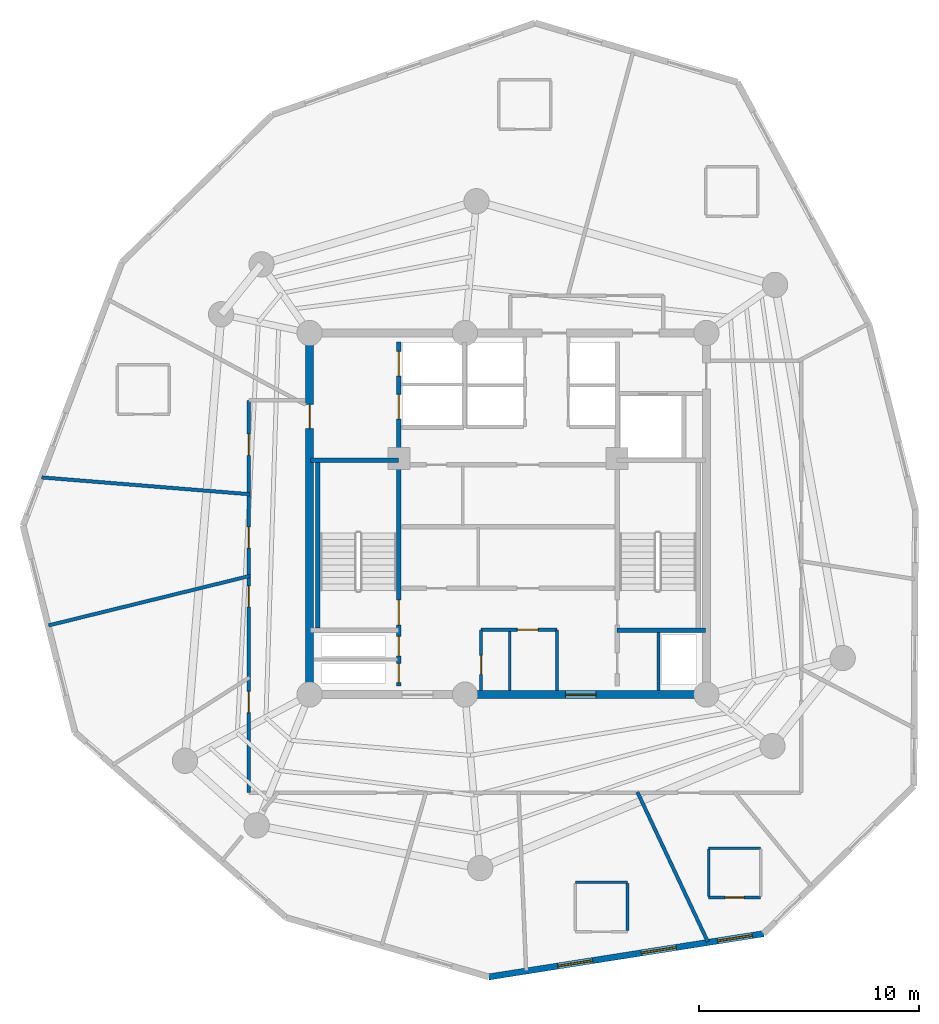
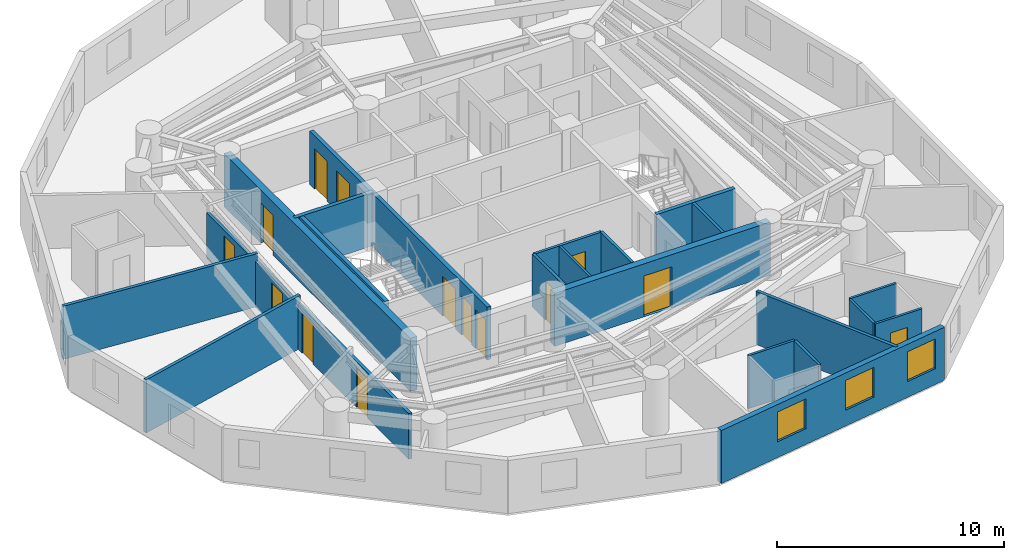
# One storey, part 3 of 7: 21 walls, 14 doors, 3 windows, 17 openings.
"""IFC4 building model written with IfcOpenShell, lengths in metres."""

from ifc_helpers import new_model, si_unit, direction, frame, frame_2d, origin, origin_with_axes, place, context, subcontext, project, spatial, rectangle, extrude, source, transform, mapped, material, layer, layer_set, type_object, element, fill, save


model = new_model("IFC4")

# Units and contexts
model_context = context("Model", 3, precision=1e-05, world=origin(), true_north=direction((0.0, 1.0)))
body_context = subcontext(model_context, "Body", "Model", "MODEL_VIEW")
ifc_project = project(units=[si_unit("LENGTHUNIT", "METRE"), si_unit("AREAUNIT", "SQUARE_METRE"), si_unit("VOLUMEUNIT", "CUBIC_METRE"), si_unit("PLANEANGLEUNIT", "RADIAN"), si_unit("MASSUNIT", "GRAM", prefix="KILO")], contexts=[model_context])

# Site, building, storey
site_placement = place(None, origin())
site = spatial("IfcSite", under=ifc_project, at=site_placement, CompositionType="ELEMENT")
building_placement = place(site_placement, origin())
building = spatial("IfcBuilding", under=site, at=building_placement, Name="Karkom Vertical University and Central Library", CompositionType="ELEMENT")
storey_placement = place(building_placement, frame((0.0, 0.0, 223.0)))
storey = spatial("IfcBuildingStorey", under=building, at=storey_placement, Name="L65", CompositionType="ELEMENT", Elevation=223.0)

# Wall, openings, windows
ifc_material_1 = material(Name="Brick-faced precast concrete C45/55", Category="masonry")
ifc_layer_1 = layer(ifc_material_1, 0.280029296875)
ifc_layer_set_1 = layer_set([ifc_layer_1], Name="Brick-faced precast concrete C45/55")
wall_type_1 = type_object("IfcWallType", Name="ENV-WL-BRK-280", PredefinedType="SOLIDWALL", material=ifc_layer_set_1)
wall_1_placement = place(storey_placement, frame((27.626708984375, 5.491943359375, 0.0), z_axis=(0.0, 0.0, 1.0), x_axis=(0.987846423052, 0.155433086774, 0.0)))
wall_1 = element("IfcWall", 1, at=wall_1_placement, inside=storey, type_object=wall_type_1, Name="Level 65 Brick-Faced Precast Facade Wall 04", PredefinedType="SOLIDWALL", context=body_context, shape_type="SweptSolid", body=[
    extrude(rectangle(XDim=12.62060546875, YDim=0.280029296875, at=frame_2d((6.310302734375, 0.0))), origin(), (0.0, 0.0, 1.0), 2.85009765625),
])
opening_1_placement = place(wall_1_placement, frame((3.16748046875, 0.0, 0.85009765625)))
opening_1 = element("IfcOpeningElement", 2, at=opening_1_placement, cuts=wall_1, Name="Opening WN-10", PredefinedType="OPENING", context=body_context, shape_type="SweptSolid", body=[
    extrude(rectangle(XDim=1.60009765625, YDim=1.60009765625, at=frame_2d((0.800048828125, 0.800048828125))), frame((0.0, 0.14990234375, 0.0), z_axis=(0.0, -1.0, 0.0), x_axis=(1.0, 0.0, 0.0)), (0.0, 0.0, 1.0), 0.300048828125),
])
opening_2_placement = place(wall_1_placement, frame((7.01318359375, 0.0, 0.85009765625)))
opening_2 = element("IfcOpeningElement", 3, at=opening_2_placement, cuts=wall_1, Name="Opening WN-10", PredefinedType="OPENING", context=body_context, shape_type="SweptSolid", body=[
    extrude(rectangle(XDim=1.60009765625, YDim=1.60009765625, at=frame_2d((0.800048828125, 0.800048828125))), frame((0.0, 0.14990234375, 0.0), z_axis=(0.0, -1.0, 0.0), x_axis=(1.0, 0.0, 0.0)), (0.0, 0.0, 1.0), 0.300048828125),
])
opening_3_placement = place(wall_1_placement, frame((10.50830078125, 0.0, 0.85009765625)))
opening_3 = element("IfcOpeningElement", 4, at=opening_3_placement, cuts=wall_1, Name="Opening WN-10", PredefinedType="OPENING", context=body_context, shape_type="SweptSolid", body=[
    extrude(rectangle(XDim=1.60009765625, YDim=1.60009765625, at=frame_2d((0.800048828125, 0.800048828125))), frame((0.0, 0.14990234375, 0.0), z_axis=(0.0, -1.0, 0.0), x_axis=(1.0, 0.0, 0.0)), (0.0, 0.0, 1.0), 0.300048828125),
])
ifc_material_2 = material(Name="Aluminium thermal-break frame with solar-control IGU", Category="aluminium")
window_type = type_object("IfcWindowType", Name="ENV-WIN-WN-10", PartitioningType="SINGLE_PANEL", PredefinedType="WINDOW", material=ifc_material_2)
shared_shape_1 = source(origin_with_axes(), body_context, "Body", "SweptSolid", [
    extrude(rectangle(XDim=1.60009765625, YDim=1.60009765625, at=frame_2d((0.800048828125, 0.800048828125))), frame((0.0, 0.030029296875, 0.0), z_axis=(0.0, -1.0, 0.0), x_axis=(1.0, 0.0, 0.0)), (0.0, 0.0, 1.0), 0.06005859375),
])
window_1_placement = place(opening_1_placement, origin())
window_1 = element("IfcWindow", 5, at=window_1_placement, inside=storey, type_object=window_type, Name="Level 65 Punched Window 4.1", OverallHeight=1.60009765625, OverallWidth=1.60009765625, PartitioningType="SINGLE_PANEL", PredefinedType="WINDOW", context=body_context, shape_type="MappedRepresentation", body=[
    mapped(shared_shape_1, transform((0.0, 0.0, 0.0), scale=1.0)),
])
fill(opening_1, window_1)
window_2_placement = place(opening_2_placement, origin())
window_2 = element("IfcWindow", 6, at=window_2_placement, inside=storey, type_object=window_type, Name="Level 65 Punched Window 4.2", OverallHeight=1.60009765625, OverallWidth=1.60009765625, PartitioningType="SINGLE_PANEL", PredefinedType="WINDOW", context=body_context, shape_type="MappedRepresentation", body=[
    mapped(shared_shape_1, transform((0.0, 0.0, 0.0), scale=1.0)),
])
fill(opening_2, window_2)
window_3_placement = place(opening_3_placement, origin())
window_3 = element("IfcWindow", 7, at=window_3_placement, inside=storey, type_object=window_type, Name="Level 65 Punched Window 4.3", OverallHeight=1.60009765625, OverallWidth=1.60009765625, PartitioningType="SINGLE_PANEL", PredefinedType="WINDOW", context=body_context, shape_type="MappedRepresentation", body=[
    mapped(shared_shape_1, transform((0.0, 0.0, 0.0), scale=1.0)),
])
fill(opening_3, window_3)

# Wall, openings, doors
ifc_material_3 = material(Name="Insulated metal-stud drywall 160mm", Category="gypsum")
ifc_layer_2 = layer(ifc_material_3, 0.159912109375)
ifc_layer_set_2 = layer_set([ifc_layer_2], Name="Insulated metal-stud drywall 160mm")
wall_type_2 = type_object("IfcWallType", Name="INT-WL-COR-160", PredefinedType="PARTITIONING", material=ifc_layer_set_2)
wall_2_placement = place(storey_placement, frame((16.75, 13.85009765625, 0.0), z_axis=(0.0, 0.0, 1.0), x_axis=(0.0, 1.0, 0.0)))
wall_2 = element("IfcWall", 8, at=wall_2_placement, inside=storey, type_object=wall_type_2, Name="Level 65 Interior Partition Wall L65-CORW-CW-002", PredefinedType="PARTITIONING", context=body_context, shape_type="SweptSolid", body=[
    extrude(rectangle(XDim=17.7998046875, YDim=0.159912109375, at=frame_2d((8.89990234375, 0.0))), origin(), (0.0, 0.0, 1.0), 2.449951171875),
])
opening_4_placement = place(wall_2_placement, frame((15.298583984375, 0.0, 0.0)))
opening_4 = element("IfcOpeningElement", 9, at=opening_4_placement, cuts=wall_2, Name="Opening FD-RM2", PredefinedType="OPENING", context=body_context, shape_type="SweptSolid", body=[
    extrude(rectangle(XDim=0.9599609375, YDim=2.14990234375, at=frame_2d((0.47998046875, 1.074951171875))), frame((0.0, 0.08984375, 0.0), z_axis=(0.0, -1.0, 0.0), x_axis=(1.0, 0.0, 0.0)), (0.0, 0.0, 1.0), 0.179931640625),
])
opening_5_placement = place(wall_2_placement, frame((11.094970703125, 0.0, 0.0)))
opening_5 = element("IfcOpeningElement", 10, at=opening_5_placement, cuts=wall_2, Name="Opening FD-RM2", PredefinedType="OPENING", context=body_context, shape_type="SweptSolid", body=[
    extrude(rectangle(XDim=0.9599609375, YDim=2.14990234375, at=frame_2d((0.47998046875, 1.074951171875))), frame((0.0, 0.08984375, 0.0), z_axis=(0.0, -1.0, 0.0), x_axis=(1.0, 0.0, 0.0)), (0.0, 0.0, 1.0), 0.179931640625),
])
opening_6_placement = place(wall_2_placement, frame((8.425048828125, 0.0, 0.0)))
opening_6 = element("IfcOpeningElement", 11, at=opening_6_placement, cuts=wall_2, Name="Opening FD-RM2", PredefinedType="OPENING", context=body_context, shape_type="SweptSolid", body=[
    extrude(rectangle(XDim=0.9599609375, YDim=2.14990234375, at=frame_2d((0.47998046875, 1.074951171875))), frame((0.0, 0.08984375, 0.0), z_axis=(0.0, -1.0, 0.0), x_axis=(1.0, 0.0, 0.0)), (0.0, 0.0, 1.0), 0.179931640625),
])
opening_7_placement = place(wall_2_placement, frame((3.635009765625, 0.0, 0.0)))
opening_7 = element("IfcOpeningElement", 12, at=opening_7_placement, cuts=wall_2, Name="Opening FD-RM2", PredefinedType="OPENING", context=body_context, shape_type="SweptSolid", body=[
    extrude(rectangle(XDim=0.9599609375, YDim=2.14990234375, at=frame_2d((0.47998046875, 1.074951171875))), frame((0.0, 0.08984375, 0.0), z_axis=(0.0, -1.0, 0.0), x_axis=(1.0, 0.0, 0.0)), (0.0, 0.0, 1.0), 0.179931640625),
])
ifc_material_4 = material(Name="Fire-rated oak veneer door", Category="wood")
door_type_1 = type_object("IfcDoorType", Name="INT-DR-FRM2", OperationType="NOTDEFINED", PredefinedType="DOOR", material=ifc_material_4)
shared_shape_2 = source(origin_with_axes(), body_context, "Body", "SweptSolid", [
    extrude(rectangle(XDim=0.9599609375, YDim=2.14990234375, at=frame_2d((0.47998046875, 1.074951171875))), frame((0.0, 0.02490234375, 0.0), z_axis=(0.0, -1.0, 0.0), x_axis=(1.0, 0.0, 0.0)), (0.0, 0.0, 1.0), 0.050048828125),
])
door_1_placement = place(opening_4_placement, origin())
door_1 = element("IfcDoor", 13, at=door_1_placement, inside=storey, type_object=door_type_1, Name="Level 65 Room Entry Door 424", OperationType="SINGLE_SWING_LEFT", OverallHeight=2.14990234375, OverallWidth=0.9599609375, PredefinedType="DOOR", context=body_context, shape_type="MappedRepresentation", body=[
    mapped(shared_shape_2, transform((0.0, 0.0, 0.0), scale=1.0)),
])
fill(opening_4, door_1)
door_2_placement = place(opening_5_placement, origin())
door_2 = element("IfcDoor", 14, at=door_2_placement, inside=storey, type_object=door_type_1, Name="Level 65 Room Entry Door 300", OperationType="SINGLE_SWING_RIGHT", OverallHeight=2.14990234375, OverallWidth=0.9599609375, PredefinedType="DOOR", context=body_context, shape_type="MappedRepresentation", body=[
    mapped(shared_shape_2, transform((0.0, 0.0, 0.0), scale=1.0)),
])
fill(opening_5, door_2)
door_3_placement = place(opening_6_placement, origin())
door_3 = element("IfcDoor", 15, at=door_3_placement, inside=storey, type_object=door_type_1, Name="Level 65 Room Entry Door 301", OperationType="SINGLE_SWING_LEFT", OverallHeight=2.14990234375, OverallWidth=0.9599609375, PredefinedType="DOOR", context=body_context, shape_type="MappedRepresentation", body=[
    mapped(shared_shape_2, transform((0.0, 0.0, 0.0), scale=1.0)),
])
fill(opening_6, door_3)
door_4_placement = place(opening_7_placement, origin())
door_4 = element("IfcDoor", 16, at=door_4_placement, inside=storey, type_object=door_type_1, Name="Level 65 Room Entry Door 302", OperationType="SINGLE_SWING_RIGHT", OverallHeight=2.14990234375, OverallWidth=0.9599609375, PredefinedType="DOOR", context=body_context, shape_type="MappedRepresentation", body=[
    mapped(shared_shape_2, transform((0.0, 0.0, 0.0), scale=1.0)),
])
fill(opening_7, door_4)

# Walls
wall_3_placement = place(storey_placement, frame((7.350830078125, 28.150146484375, 0.0), z_axis=(0.0, 0.0, 1.0), x_axis=(0.99674658283, -0.080599315231, 0.0)))
element("IfcWall", 17, at=wall_3_placement, inside=storey, type_object=wall_type_2, Name="Level 65 Interior Partition Wall L65-PW-002", PredefinedType="PARTITIONING", context=body_context, shape_type="SweptSolid", body=[
    extrude(rectangle(XDim=9.474853515625, YDim=0.159912109375, at=frame_2d((4.7373046875, 0.0))), origin(), (0.0, 0.0, 1.0), 2.85009765625),
])
wall_4_placement = place(storey_placement, frame((16.793701171875, 23.6826171875, 0.0), z_axis=(0.0, 0.0, 1.0), x_axis=(-0.971057972499, -0.238843911471, 0.0)))
element("IfcWall", 18, at=wall_4_placement, inside=storey, type_object=wall_type_2, Name="Level 65 Interior Partition Wall L65-PW-001", PredefinedType="PARTITIONING", context=body_context, shape_type="SweptSolid", body=[
    extrude(rectangle(XDim=9.403076171875, YDim=0.159912109375, at=frame_2d((4.70166015625, 0.0))), origin(), (0.0, 0.0, 1.0), 2.85009765625),
])
wall_5_placement = place(storey_placement, frame((34.37060546875, 13.877197265625, 0.0), z_axis=(0.0, 0.0, 1.0), x_axis=(0.425609098459, -0.904907119714, 0.0)))
element("IfcWall", 19, at=wall_5_placement, inside=storey, type_object=wall_type_2, Name="Level 65 Interior Partition Wall L65-PW-008", PredefinedType="PARTITIONING", context=body_context, shape_type="SweptSolid", body=[
    extrude(rectangle(XDim=7.507568359375, YDim=0.159912109375, at=frame_2d((3.75390625, 0.0))), origin(), (0.0, 0.0, 1.0), 2.85009765625),
])
ifc_material_5 = material(Name="Moisture-resistant drywall 120mm", Category="gypsum")
ifc_layer_3 = layer(ifc_material_5, 0.1201171875)
ifc_layer_set_3 = layer_set([ifc_layer_3], Name="Moisture-resistant drywall 120mm")
wall_type_3 = type_object("IfcWallType", Name="INT-WL-INT-120", PredefinedType="PARTITIONING", material=ifc_layer_set_3)
wall_6_placement = place(storey_placement, frame((28.580078125, 18.48193359375, 0.0), z_axis=(0.0, 0.0, 1.0), x_axis=(0.0, 1.0, 0.0)))
element("IfcWall", 20, at=wall_6_placement, inside=storey, type_object=wall_type_3, Name="Level 65 Interior Partition Wall L65-CW-K2-DIV", PredefinedType="PARTITIONING", context=body_context, shape_type="SweptSolid", body=[
    extrude(rectangle(XDim=2.687255859375, YDim=0.1201171875, at=frame_2d((1.34375, 0.0))), origin(), (0.0, 0.0, 1.0), 2.85009765625),
])

# Wall, opening, door
ifc_layer_4 = layer(ifc_material_5, 0.1201171875)
ifc_layer_set_4 = layer_set([ifc_layer_4], Name="Moisture-resistant drywall 120mm")
wall_type_4 = type_object("IfcWallType", Name="INT-WL-INT-120F", PredefinedType="PARTITIONING", material=ifc_layer_set_4)
wall_7_placement = place(storey_placement, frame((37.59912109375, 9.094970703125, 0.0), z_axis=(0.0, 0.0, 1.0), x_axis=(1.0, 0.0, 0.0)))
wall_7 = element("IfcWall", 21, at=wall_7_placement, inside=storey, type_object=wall_type_4, Name="Level 65 Interior Partition Wall L65-ENS-46-S", PredefinedType="PARTITIONING", context=body_context, shape_type="SweptSolid", body=[
    extrude(rectangle(XDim=2.35986328125, YDim=0.1201171875, at=frame_2d((1.179931640625, 0.0))), origin(), (0.0, 0.0, 1.0), 2.85009765625),
])
opening_8_placement = place(wall_7_placement, frame((0.75, 0.0, 0.0)))
opening_8 = element("IfcOpeningElement", 22, at=opening_8_placement, cuts=wall_7, Name="Opening D-BATH", PredefinedType="OPENING", context=body_context, shape_type="SweptSolid", body=[
    extrude(rectangle(XDim=0.860107421875, YDim=2.10009765625, at=frame_2d((0.43017578125, 1.050048828125))), frame((0.0, 0.070068359375, 0.0), z_axis=(0.0, -1.0, 0.0), x_axis=(1.0, 0.0, 0.0)), (0.0, 0.0, 1.0), 0.14013671875),
])
ifc_material_6 = material(Name="Moisture-resistant oak door", Category="wood")
door_type_2 = type_object("IfcDoorType", Name="INT-DR-BATH", OperationType="NOTDEFINED", PredefinedType="DOOR", material=ifc_material_6)
shared_shape_3 = source(origin_with_axes(), body_context, "Body", "SweptSolid", [
    extrude(rectangle(XDim=0.860107421875, YDim=2.10009765625, at=frame_2d((0.43017578125, 1.050048828125))), frame((0.0, 0.02490234375, 0.0), z_axis=(0.0, -1.0, 0.0), x_axis=(1.0, 0.0, 0.0)), (0.0, 0.0, 1.0), 0.050048828125),
])
door_5_placement = place(opening_8_placement, origin())
door_5 = element("IfcDoor", 23, at=door_5_placement, inside=storey, type_object=door_type_2, Name="Level 65 En-Suite Bathroom Door 46", OperationType="SINGLE_SWING_RIGHT", OverallHeight=2.10009765625, OverallWidth=0.860107421875, PredefinedType="DOOR", context=body_context, shape_type="MappedRepresentation", body=[
    mapped(shared_shape_3, transform((0.0, 0.0, 0.0), scale=1.0)),
])
fill(opening_8, door_5)

# Walls
for number, where, z_axis, x_axis, name in (
    (24, (39.958984375, 11.3349609375, 0.0), (0.0, 0.0, 1.0), (-1.0, 0.0, 0.0), "Level 65 Interior Partition Wall L65-ENS-46-N"),
    (25, (33.91796875, 9.780029296875, 0.0), (0.0, 0.0, 1.0), (-1.0, 0.0, 0.0), "Level 65 Interior Partition Wall L65-ENS-45-N"),
):
    element("IfcWall", number, at=place(storey_placement, frame(where, z_axis=z_axis, x_axis=x_axis)), inside=storey, type_object=wall_type_4, Name=name, PredefinedType="PARTITIONING", context=body_context, shape_type="SweptSolid", body=[
        extrude(rectangle(XDim=2.35986328125, YDim=0.1201171875, at=frame_2d((1.179931640625, 0.0))), origin(), (0.0, 0.0, 1.0), 2.85009765625),
    ])
for number, where, z_axis, x_axis, name in (
    (26, (33.91796875, 7.590087890625, 0.0), (0.0, 0.0, 1.0), (0.0, 1.0, 0.0), "Level 65 Interior Partition Wall L65-ENS-45-E"),
    (27, (37.59912109375, 11.284912109375, 0.0), (0.0, 0.0, 1.0), (0.0, -1.0, 0.0), "Level 65 Interior Partition Wall L65-ENS-46-W"),
):
    element("IfcWall", number, at=place(storey_placement, frame(where, z_axis=z_axis, x_axis=x_axis)), inside=storey, type_object=wall_type_4, Name=name, PredefinedType="PARTITIONING", context=body_context, shape_type="SweptSolid", body=[
        extrude(rectangle(XDim=2.139892578125, YDim=0.1201171875, at=frame_2d((1.06982421875, 0.0))), origin(), (0.0, 0.0, 1.0), 2.85009765625),
    ])

# Wall, opening, door
ifc_material_7 = material(Name="Metal-stud gypsum partition 140mm", Category="gypsum")
ifc_layer_5 = layer(ifc_material_7, 0.139892578125)
ifc_layer_set_5 = layer_set([ifc_layer_5], Name="Metal-stud gypsum partition 140mm")
wall_type_5 = type_object("IfcWallType", Name="INT-WL-SUB-140", PredefinedType="PARTITIONING", material=ifc_layer_set_5)
wall_8_placement = place(storey_placement, frame((27.280029296875, 21.239990234375, 0.0), z_axis=(0.0, 0.0, 1.0), x_axis=(1.0, 0.0, 0.0)))
wall_8 = element("IfcWall", 28, at=wall_8_placement, inside=storey, type_object=wall_type_5, Name="Level 65 Interior Partition Wall L65-CW-KBAY-N", PredefinedType="PARTITIONING", context=body_context, shape_type="SweptSolid", body=[
    extrude(rectangle(XDim=3.43994140625, YDim=0.139892578125, at=frame_2d((1.719970703125, 0.0))), origin(), (0.0, 0.0, 1.0), 2.85009765625),
])
opening_9_placement = place(wall_8_placement, frame((1.64990234375, 0.0, 0.0)))
opening_9 = element("IfcOpeningElement", 29, at=opening_9_placement, cuts=wall_8, Name="Opening D-WC1", PredefinedType="OPENING", context=body_context, shape_type="SweptSolid", body=[
    extrude(rectangle(XDim=0.93994140625, YDim=2.10009765625, at=frame_2d((0.469970703125, 1.050048828125))), frame((0.0, 0.080078125, 0.0), z_axis=(0.0, -1.0, 0.0), x_axis=(1.0, 0.0, 0.0)), (0.0, 0.0, 1.0), 0.159912109375),
])
ifc_material_8 = material(Name="Fire-rated laminate moisture-resistant door", Category="wood")
door_type_3 = type_object("IfcDoorType", Name="INT-DR-WC1", OperationType="NOTDEFINED", PredefinedType="DOOR", material=ifc_material_8)
shared_shape_4 = source(origin_with_axes(), body_context, "Body", "SweptSolid", [
    extrude(rectangle(XDim=0.93994140625, YDim=2.10009765625, at=frame_2d((0.469970703125, 1.050048828125))), frame((0.0, 0.02490234375, 0.0), z_axis=(0.0, -1.0, 0.0), x_axis=(1.0, 0.0, 0.0)), (0.0, 0.0, 1.0), 0.050048828125),
])
door_6_placement = place(opening_9_placement, origin())
door_6 = element("IfcDoor", 30, at=door_6_placement, inside=storey, type_object=door_type_3, Name="Level 65 Staff WC Door", OperationType="SINGLE_SWING_RIGHT", OverallHeight=2.10009765625, OverallWidth=0.93994140625, PredefinedType="DOOR", context=body_context, shape_type="MappedRepresentation", body=[
    mapped(shared_shape_4, transform((0.0, 0.0, 0.0), scale=1.0)),
])
fill(opening_9, door_6)

wall_9_placement = place(storey_placement, frame((27.280029296875, 18.48193359375, 0.0), z_axis=(0.0, 0.0, 1.0), x_axis=(0.0, 1.0, 0.0)))
wall_9 = element("IfcWall", 31, at=wall_9_placement, inside=storey, type_object=wall_type_5, Name="Level 65 Interior Partition Wall L65-CW-KBAY-W", PredefinedType="PARTITIONING", context=body_context, shape_type="SweptSolid", body=[
    extrude(rectangle(XDim=2.758056640625, YDim=0.139892578125, at=frame_2d((1.37890625, 0.0))), origin(), (0.0, 0.0, 1.0), 2.85009765625),
])
opening_10_placement = place(wall_9_placement, frame((0.739990234375, 0.0, 0.0)))
opening_10 = element("IfcOpeningElement", 32, at=opening_10_placement, cuts=wall_9, Name="Opening D-BATH", PredefinedType="OPENING", context=body_context, shape_type="SweptSolid", body=[
    extrude(rectangle(XDim=0.860107421875, YDim=2.10009765625, at=frame_2d((0.43017578125, 1.050048828125))), frame((0.0, 0.080078125, 0.0), z_axis=(0.0, -1.0, 0.0), x_axis=(1.0, 0.0, 0.0)), (0.0, 0.0, 1.0), 0.159912109375),
])
door_7_placement = place(opening_10_placement, origin())
door_7 = element("IfcDoor", 33, at=door_7_placement, inside=storey, type_object=door_type_2, Name="Level 65 Cleaners Store Door", OperationType="SINGLE_SWING_LEFT", OverallHeight=2.10009765625, OverallWidth=0.860107421875, PredefinedType="DOOR", context=body_context, shape_type="MappedRepresentation", body=[
    mapped(shared_shape_3, transform((0.0, 0.0, 0.0), scale=1.0)),
])
fill(opening_10, door_7)

# Walls
wall_10_placement = place(storey_placement, frame((30.719970703125, 18.48193359375, 0.0), z_axis=(0.0, 0.0, 1.0), x_axis=(0.0, 1.0, 0.0)))
element("IfcWall", 34, at=wall_10_placement, inside=storey, type_object=wall_type_5, Name="Level 65 Interior Partition Wall L65-CW-KBAY-E", PredefinedType="PARTITIONING", context=body_context, shape_type="SweptSolid", body=[
    extrude(rectangle(XDim=2.758056640625, YDim=0.139892578125, at=frame_2d((1.37890625, 0.0))), origin(), (0.0, 0.0, 1.0), 2.85009765625),
])
ifc_layer_6 = layer(ifc_material_7, 0.139892578125)
ifc_layer_set_6 = layer_set([ifc_layer_6], Name="Metal-stud gypsum partition 140mm")
wall_type_6 = type_object("IfcWallType", Name="INT-WL-SUB-140H", PredefinedType="PARTITIONING", material=ifc_layer_set_6)
wall_11_placement = place(storey_placement, frame((35.320068359375, 18.48193359375, 0.0), z_axis=(0.0, 0.0, 1.0), x_axis=(0.0, 1.0, 0.0)))
element("IfcWall", 35, at=wall_11_placement, inside=storey, type_object=wall_type_6, Name="Level 65 Interior Partition Wall L65-CW-RIS-E", PredefinedType="PARTITIONING", context=body_context, shape_type="SweptSolid", body=[
    extrude(rectangle(XDim=2.629150390625, YDim=0.139892578125, at=frame_2d((1.314453125, 0.0))), origin(), (0.0, 0.0, 1.0), 2.85009765625),
])

# Wall, opening, door
ifc_material_9 = material(Name="Concrete C45/55", Category="concrete")
ifc_layer_7 = layer(ifc_material_9, 0.35009765625)
ifc_layer_set_7 = layer_set([ifc_layer_7], Name="Concrete C45/55")
wall_type_7 = type_object("IfcWallType", Name="STR-WL-CW-350", PredefinedType="SHEAR", material=ifc_layer_set_7)
wall_12_placement = place(storey_placement, frame((26.550048828125, 18.300048828125, 0.0), z_axis=(0.0, 0.0, 1.0), x_axis=(1.0, 0.0, 0.0)))
wall_12 = element("IfcWall", 36, at=wall_12_placement, inside=storey, type_object=wall_type_7, Name="Level 65 Central Core Shear Wall SW2", PredefinedType="SHEAR", context=body_context, shape_type="SweptSolid", body=[
    extrude(rectangle(XDim=10.949951171875, YDim=0.35009765625, at=frame_2d((5.47509765625, 0.0))), origin(), (0.0, 0.0, 1.0), 2.85009765625),
])
opening_11_placement = place(wall_12_placement, frame((4.550048828125, 0.0, 0.0)))
opening_11 = element("IfcOpeningElement", 37, at=opening_11_placement, cuts=wall_12, Name="Opening FD-CLB", PredefinedType="OPENING", context=body_context, shape_type="SweptSolid", body=[
    extrude(rectangle(XDim=1.39990234375, YDim=2.199951171875, at=frame_2d((0.699951171875, 1.10009765625))), frame((0.0, 0.18505859375, 0.0), z_axis=(0.0, -1.0, 0.0), x_axis=(1.0, 0.0, 0.0)), (0.0, 0.0, 1.0), 0.3701171875),
])
ifc_material_10 = material(Name="Painted steel fire door", Category="steel")
door_type_4 = type_object("IfcDoorType", Name="INT-DR-CLB", OperationType="DOUBLE_DOOR_SINGLE_SWING", PredefinedType="DOOR", material=ifc_material_10)
shared_shape_5 = source(origin_with_axes(), body_context, "Body", "SweptSolid", [
    extrude(rectangle(XDim=1.39990234375, YDim=2.199951171875, at=frame_2d((0.699951171875, 1.10009765625))), frame((0.0, 0.02490234375, 0.0), z_axis=(0.0, -1.0, 0.0), x_axis=(1.0, 0.0, 0.0)), (0.0, 0.0, 1.0), 0.050048828125),
])
door_8_placement = place(opening_11_placement, origin())
door_8 = element("IfcDoor", 38, at=door_8_placement, inside=storey, type_object=door_type_4, Name="Level 65 South Core Lobby East Exit Door", OperationType="DOUBLE_DOOR_SINGLE_SWING", OverallHeight=2.199951171875, OverallWidth=1.39990234375, PredefinedType="DOOR", context=body_context, shape_type="MappedRepresentation", body=[
    mapped(shared_shape_5, transform((0.0, 0.0, 0.0), scale=1.0)),
])
fill(opening_11, door_8)

wall_13_placement = place(storey_placement, frame((19.5, 34.699951171875, 0.0), z_axis=(0.0, 0.0, 1.0), x_axis=(0.0, -1.0, 0.0)))
wall_13 = element("IfcWall", 39, at=wall_13_placement, inside=storey, type_object=wall_type_7, Name="Level 65 Central Core Shear Wall WW", PredefinedType="SHEAR", context=body_context, shape_type="SweptSolid", body=[
    extrude(rectangle(XDim=16.39990234375, YDim=0.35009765625, at=frame_2d((8.199951171875, 0.0))), origin(), (0.0, 0.0, 1.0), 2.85009765625),
])
opening_12_placement = place(wall_13_placement, frame((3.239990234375, 0.0, 0.0)))
opening_12 = element("IfcOpeningElement", 40, at=opening_12_placement, cuts=wall_13, Name="Opening FD-FFL", PredefinedType="OPENING", context=body_context, shape_type="SweptSolid", body=[
    extrude(rectangle(XDim=1.10009765625, YDim=2.14990234375, at=frame_2d((0.550048828125, 1.074951171875))), frame((0.0, 0.18505859375, 0.0), z_axis=(0.0, -1.0, 0.0), x_axis=(1.0, 0.0, 0.0)), (0.0, 0.0, 1.0), 0.3701171875),
])
ifc_material_11 = material(Name="Painted steel smoke-seal fire door", Category="steel")
door_type_5 = type_object("IfcDoorType", Name="INT-DR-FFL", OperationType="NOTDEFINED", PredefinedType="DOOR", material=ifc_material_11)
shared_shape_6 = source(origin_with_axes(), body_context, "Body", "SweptSolid", [
    extrude(rectangle(XDim=1.10009765625, YDim=2.14990234375, at=frame_2d((0.550048828125, 1.074951171875))), frame((0.0, 0.02490234375, 0.0), z_axis=(0.0, -1.0, 0.0), x_axis=(1.0, 0.0, 0.0)), (0.0, 0.0, 1.0), 0.050048828125),
])
door_9_placement = place(opening_12_placement, origin())
door_9 = element("IfcDoor", 41, at=door_9_placement, inside=storey, type_object=door_type_5, Name="Level 65 West Corridor Firefighting Lobby Door", OperationType="SINGLE_SWING_LEFT", OverallHeight=2.14990234375, OverallWidth=1.10009765625, PredefinedType="DOOR", context=body_context, shape_type="MappedRepresentation", body=[
    mapped(shared_shape_6, transform((0.0, 0.0, 0.0), scale=1.0)),
])
fill(opening_12, door_9)

# Wall, openings, doors
ifc_layer_8 = layer(ifc_material_9, 0.199951171875)
ifc_layer_set_8 = layer_set([ifc_layer_8], Name="Concrete C45/55")
wall_type_8 = type_object("IfcWallType", Name="STR-WL-ST-200", PredefinedType="SHEAR", material=ifc_layer_set_8)
wall_14_placement = place(storey_placement, frame((23.544921875, 18.699951171875, 0.0), z_axis=(0.0, 0.0, 1.0), x_axis=(0.0, 1.0, 0.0)))
wall_14 = element("IfcWall", 42, at=wall_14_placement, inside=storey, type_object=wall_type_8, Name="Level 65 Core Shaft Wall L65-CW-ST1-E", PredefinedType="SHEAR", context=body_context, shape_type="SweptSolid", body=[
    extrude(rectangle(XDim=15.60009765625, YDim=0.199951171875, at=frame_2d((7.800048828125, 0.0))), origin(), (0.0, 0.0, 1.0), 2.85009765625),
])
opening_13_placement = place(wall_14_placement, frame((2.75, 0.0, 0.0)))
opening_13 = element("IfcOpeningElement", 43, at=opening_13_placement, cuts=wall_14, Name="Opening FD-ST1", PredefinedType="OPENING", context=body_context, shape_type="SweptSolid", body=[
    extrude(rectangle(XDim=1.14990234375, YDim=2.14990234375, at=frame_2d((0.574951171875, 1.074951171875))), frame((0.0, 0.10986328125, 0.0), z_axis=(0.0, -1.0, 0.0), x_axis=(1.0, 0.0, 0.0)), (0.0, 0.0, 1.0), 0.219970703125),
])
opening_14_placement = place(wall_14_placement, frame((0.139892578125, 0.0, 0.0)))
opening_14 = element("IfcOpeningElement", 44, at=opening_14_placement, cuts=wall_14, Name="Opening FD-RIS", PredefinedType="OPENING", context=body_context, shape_type="SweptSolid", body=[
    extrude(rectangle(XDim=0.8798828125, YDim=2.10009765625, at=frame_2d((0.43994140625, 1.050048828125))), frame((0.0, 0.10986328125, 0.0), z_axis=(0.0, -1.0, 0.0), x_axis=(1.0, 0.0, 0.0)), (0.0, 0.0, 1.0), 0.219970703125),
])
opening_15_placement = place(wall_14_placement, frame((1.360107421875, 0.0, 0.0)))
opening_15 = element("IfcOpeningElement", 45, at=opening_15_placement, cuts=wall_14, Name="Opening FD-RIS", PredefinedType="OPENING", context=body_context, shape_type="SweptSolid", body=[
    extrude(rectangle(XDim=0.8798828125, YDim=2.10009765625, at=frame_2d((0.43994140625, 1.050048828125))), frame((0.0, 0.10986328125, 0.0), z_axis=(0.0, -1.0, 0.0), x_axis=(1.0, 0.0, 0.0)), (0.0, 0.0, 1.0), 0.219970703125),
])
opening_16_placement = place(wall_14_placement, frame((12.10009765625, 0.0, 0.0)))
opening_16 = element("IfcOpeningElement", 46, at=opening_16_placement, cuts=wall_14, Name="Opening LD-FFL", PredefinedType="OPENING", context=body_context, shape_type="SweptSolid", body=[
    extrude(rectangle(XDim=1.1201171875, YDim=2.14990234375, at=frame_2d((0.56005859375, 1.074951171875))), frame((0.0, 0.10986328125, 0.0), z_axis=(0.0, -1.0, 0.0), x_axis=(1.0, 0.0, 0.0)), (0.0, 0.0, 1.0), 0.219970703125),
])
opening_17_placement = place(wall_14_placement, frame((14.050048828125, 0.0, 0.0)))
opening_17 = element("IfcOpeningElement", 47, at=opening_17_placement, cuts=wall_14, Name="Opening LD-FFL", PredefinedType="OPENING", context=body_context, shape_type="SweptSolid", body=[
    extrude(rectangle(XDim=1.1201171875, YDim=2.14990234375, at=frame_2d((0.56005859375, 1.074951171875))), frame((0.0, 0.10986328125, 0.0), z_axis=(0.0, -1.0, 0.0), x_axis=(1.0, 0.0, 0.0)), (0.0, 0.0, 1.0), 0.219970703125),
])
ifc_material_12 = material(Name="Painted steel acoustic fire door", Category="steel")
door_type_6 = type_object("IfcDoorType", Name="INT-DR-ST1", OperationType="NOTDEFINED", PredefinedType="DOOR", material=ifc_material_12)
shared_shape_7 = source(origin_with_axes(), body_context, "Body", "SweptSolid", [
    extrude(rectangle(XDim=1.14990234375, YDim=2.14990234375, at=frame_2d((0.574951171875, 1.074951171875))), frame((0.0, 0.02490234375, 0.0), z_axis=(0.0, -1.0, 0.0), x_axis=(1.0, 0.0, 0.0)), (0.0, 0.0, 1.0), 0.050048828125),
])
door_10_placement = place(opening_13_placement, origin())
door_10 = element("IfcDoor", 48, at=door_10_placement, inside=storey, type_object=door_type_6, Name="Level 65 Stair ST-1 Fire Door", OperationType="SINGLE_SWING_LEFT", OverallHeight=2.14990234375, OverallWidth=1.14990234375, PredefinedType="DOOR", context=body_context, shape_type="MappedRepresentation", body=[
    mapped(shared_shape_7, transform((0.0, 0.0, 0.0), scale=1.0)),
])
fill(opening_13, door_10)
ifc_material_13 = material(Name="Painted steel riser access door", Category="steel")
door_type_7 = type_object("IfcDoorType", Name="INT-DR-RIS", OperationType="NOTDEFINED", PredefinedType="DOOR", material=ifc_material_13)
shared_shape_8 = source(origin_with_axes(), body_context, "Body", "SweptSolid", [
    extrude(rectangle(XDim=0.8798828125, YDim=2.10009765625, at=frame_2d((0.43994140625, 1.050048828125))), frame((0.0, 0.02490234375, 0.0), z_axis=(0.0, -1.0, 0.0), x_axis=(1.0, 0.0, 0.0)), (0.0, 0.0, 1.0), 0.050048828125),
])
door_11_placement = place(opening_14_placement, origin())
door_11 = element("IfcDoor", 49, at=door_11_placement, inside=storey, type_object=door_type_7, Name="Level 65 Electrical Riser Access Door", OperationType="SINGLE_SWING_RIGHT", OverallHeight=2.10009765625, OverallWidth=0.8798828125, PredefinedType="DOOR", context=body_context, shape_type="MappedRepresentation", body=[
    mapped(shared_shape_8, transform((0.0, 0.0, 0.0), scale=1.0)),
])
fill(opening_14, door_11)
door_12_placement = place(opening_15_placement, origin())
door_12 = element("IfcDoor", 50, at=door_12_placement, inside=storey, type_object=door_type_7, Name="Level 65 Telecom Riser Access Door", OperationType="SINGLE_SWING_LEFT", OverallHeight=2.10009765625, OverallWidth=0.8798828125, PredefinedType="DOOR", context=body_context, shape_type="MappedRepresentation", body=[
    mapped(shared_shape_8, transform((0.0, 0.0, 0.0), scale=1.0)),
])
fill(opening_15, door_12)
ifc_material_14 = material(Name="Fire-rated stainless-steel landing door", Category="steel")
door_type_8 = type_object("IfcDoorType", Name="INT-DR-LD-FFL", OperationType="SLIDING_TO_LEFT", PredefinedType="DOOR", material=ifc_material_14)
shared_shape_9 = source(origin_with_axes(), body_context, "Body", "SweptSolid", [
    extrude(rectangle(XDim=1.1201171875, YDim=2.14990234375, at=frame_2d((0.56005859375, 1.074951171875))), frame((0.0, 0.02490234375, 0.0), z_axis=(0.0, -1.0, 0.0), x_axis=(1.0, 0.0, 0.0)), (0.0, 0.0, 1.0), 0.050048828125),
])
door_13_placement = place(opening_16_placement, origin())
door_13 = element("IfcDoor", 51, at=door_13_placement, inside=storey, type_object=door_type_8, Name="Level 65 Firefighting Lift FFL-1 Landing Door", OperationType="SLIDING_TO_LEFT", OverallHeight=2.14990234375, OverallWidth=1.1201171875, PredefinedType="DOOR", context=body_context, shape_type="MappedRepresentation", body=[
    mapped(shared_shape_9, transform((0.0, 0.0, 0.0), scale=1.0)),
])
fill(opening_16, door_13)
door_14_placement = place(opening_17_placement, origin())
door_14 = element("IfcDoor", 52, at=door_14_placement, inside=storey, type_object=door_type_8, Name="Level 65 Firefighting Lift FFL-2 Landing Door", OperationType="SLIDING_TO_RIGHT", OverallHeight=2.14990234375, OverallWidth=1.1201171875, PredefinedType="DOOR", context=body_context, shape_type="MappedRepresentation", body=[
    mapped(shared_shape_9, transform((0.0, 0.0, 0.0), scale=1.0)),
])
fill(opening_17, door_14)

# Walls
wall_15_placement = place(storey_placement, frame((19.875, 21.320068359375, 0.0), z_axis=(0.0, 0.0, 1.0), x_axis=(0.0, 1.0, 0.0)))
element("IfcWall", 53, at=wall_15_placement, inside=storey, type_object=wall_type_8, Name="Level 65 Core Shaft Wall L65-CW-ST1-W", PredefinedType="SHEAR", context=body_context, shape_type="SweptSolid", body=[
    extrude(rectangle(XDim=7.5, YDim=0.199951171875, at=frame_2d((3.75, 0.0))), origin(), (0.0, 0.0, 1.0), 2.85009765625),
])
for number, where, z_axis, x_axis, name in (
    (54, (33.455078125, 21.215087890625, 0.0), (0.0, 0.0, 1.0), (1.0, 0.0, 0.0), "Level 65 Core Shaft Wall L65-CW-ST2-S"),
    (55, (19.550048828125, 28.925048828125, 0.0), (0.0, 0.0, 1.0), (1.0, 0.0, 0.0), "Level 65 Core Shaft Wall L65-CW-ST1-N"),
):
    element("IfcWall", number, at=place(storey_placement, frame(where, z_axis=z_axis, x_axis=x_axis)), inside=storey, type_object=wall_type_8, Name=name, PredefinedType="SHEAR", context=body_context, shape_type="SweptSolid", body=[
        extrude(rectangle(XDim=3.994873046875, YDim=0.199951171875, at=frame_2d((1.99755859375, 0.0))), origin(), (0.0, 0.0, 1.0), 2.85009765625),
    ])

save(model, "model.ifc")
